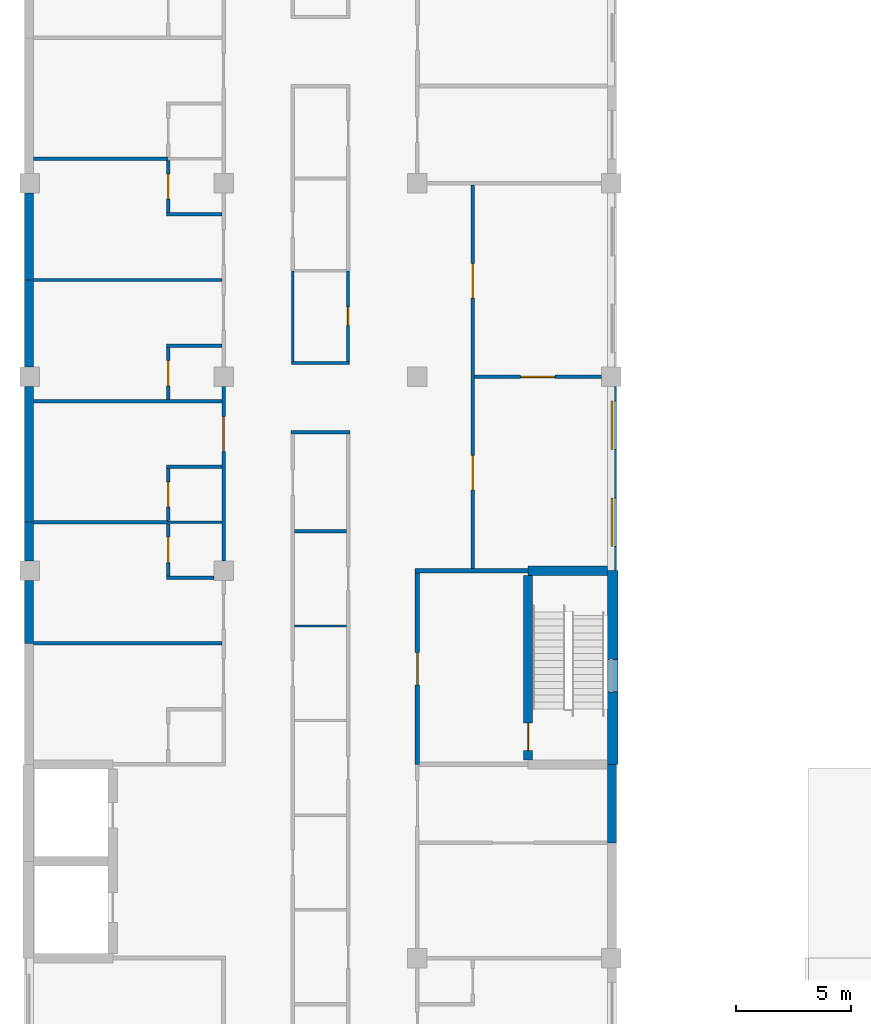
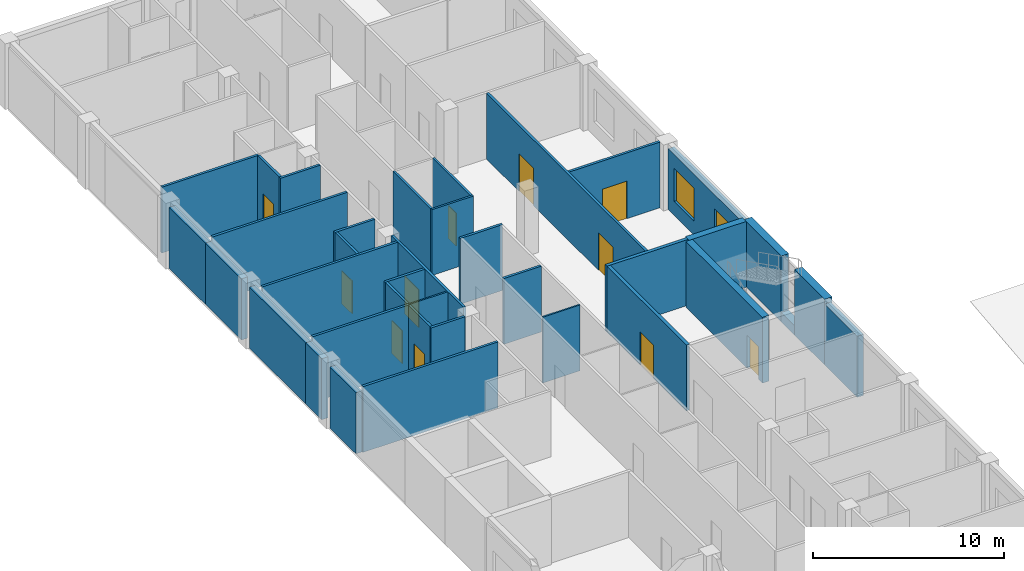
# One storey, part 43 of 66: 37 walls, 11 doors, 2 windows, 13 openings.
"""IFC4 building model written with IfcOpenShell, lengths in metres."""

from ifc_helpers import new_model, si_unit, direction, frame, frame_2d, origin, place, context, subcontext, project, spatial, rectangle, extrude, material, layer, layer_set, type_object, element, fill, save


model = new_model("IFC4")

# Units and contexts
model_context = context("Model", 3, precision=1e-05, world=origin(), true_north=direction((0.0, 1.0)))
body_context = subcontext(model_context, "Body", "Model", "MODEL_VIEW")
ifc_project = project(units=[si_unit("LENGTHUNIT", "METRE"), si_unit("AREAUNIT", "SQUARE_METRE"), si_unit("VOLUMEUNIT", "CUBIC_METRE"), si_unit("PLANEANGLEUNIT", "RADIAN"), si_unit("MASSUNIT", "GRAM", prefix="KILO")], contexts=[model_context])

# Site, building, storey
site_placement = place(None, origin())
site = spatial("IfcSite", under=ifc_project, at=site_placement, CompositionType="ELEMENT")
building_placement = place(site_placement, origin())
building = spatial("IfcBuilding", under=site, at=building_placement, Name="Yavir Park General Hospital", CompositionType="ELEMENT")
storey_placement = place(building_placement, frame((0.0, 0.0, 8.39990234375)))
storey = spatial("IfcBuildingStorey", under=building, at=storey_placement, Name="L02", CompositionType="ELEMENT", Elevation=8.39990234375)

# Wall
ifc_material_1 = material(Name="Double gypsum board fire partition on steel studs", Category="steel")
ifc_layer_1 = layer(ifc_material_1, 0.199951171875)
ifc_layer_set_1 = layer_set([ifc_layer_1], Name="Double gypsum board fire partition on steel studs")
wall_type_1 = type_object("IfcWallType", Name="Fire-rated partition 200, EI 60", PredefinedType="PARTITIONING", material=ifc_layer_set_1)
wall_1_placement = place(storey_placement, frame((16.699951171875, 84.0, 0.0), z_axis=(0.0, 0.0, 1.0), x_axis=(1.0, 0.0, 0.0)))
element("IfcWall", 1, at=wall_1_placement, inside=storey, type_object=wall_type_1, Name="FP20 L02-126", PredefinedType="PARTITIONING", context=body_context, shape_type="SweptSolid", body=[
    extrude(rectangle(XDim=4.900146484375, YDim=0.199951171875, at=frame_2d((2.4501953125, 0.0))), origin(), (0.0, 0.0, 1.0), 4.2001953125),
])

# Wall, opening, door
wall_2_placement = place(storey_placement, frame((16.800048828125, 75.60009765625, 0.0), z_axis=(0.0, 0.0, 1.0), x_axis=(0.0, 1.0, 0.0)))
wall_2 = element("IfcWall", 2, at=wall_2_placement, inside=storey, type_object=wall_type_1, Name="FP20 L02-203", PredefinedType="PARTITIONING", context=body_context, shape_type="SweptSolid", body=[
    extrude(rectangle(XDim=8.2998046875, YDim=0.199951171875, at=frame_2d((4.14990234375, 0.0))), origin(), (0.0, 0.0, 1.0), 4.2001953125),
])
opening_1_placement = place(wall_2_placement, frame((3.449951171875, 0.0, 0.0)))
opening_1 = element("IfcOpeningElement", 3, at=opening_1_placement, cuts=wall_2, Name="Opening L02.D163", PredefinedType="OPENING", context=body_context, shape_type="SweptSolid", body=[
    extrude(rectangle(XDim=1.39990234375, YDim=2.10009765625, at=frame_2d((0.699951171875, 1.050048828125))), frame((0.0, 0.10986328125, 0.0), z_axis=(0.0, -1.0, 0.0), x_axis=(1.0, 0.0, 0.0)), (0.0, 0.0, 1.0), 0.219970703125),
])
ifc_material_2 = material(Name="Steel frame, fire-resisting leaves with vision panels", Category="steel")
door_type_1 = type_object("IfcDoorType", Name="Double fire door with vision panels 1400 x 2100, EI 60", OperationType="DOUBLE_DOOR_SINGLE_SWING", PredefinedType="DOOR", material=ifc_material_2)
door_1_placement = place(opening_1_placement, origin())
door_1 = element("IfcDoor", 4, at=door_1_placement, inside=storey, type_object=door_type_1, Name="L02.D163", OperationType="SINGLE_SWING_LEFT", OverallHeight=2.10009765625, OverallWidth=1.39990234375, PredefinedType="DOOR", context=body_context, shape_type="SweptSolid", body=[
    extrude(rectangle(XDim=1.39990234375, YDim=2.10009765625, at=frame_2d((0.699951171875, 1.050048828125))), frame((0.0, 0.030029296875, 0.0), z_axis=(0.0, -1.0, 0.0), x_axis=(1.0, 0.0, 0.0)), (0.0, 0.0, 1.0), 0.06005859375),
])
fill(opening_1, door_1)

# Walls
ifc_material_3 = material(Name="Gypsum board partition on steel studs", Category="steel")
ifc_layer_2 = layer(ifc_material_3, 0.10009765625)
ifc_layer_set_2 = layer_set([ifc_layer_2], Name="Gypsum board partition on steel studs")
wall_type_2 = type_object("IfcWallType", Name="Gypsum board partition 100", PredefinedType="PARTITIONING", material=ifc_layer_set_2)
wall_3_placement = place(storey_placement, frame((11.47509765625, 81.60009765625, 0.0), z_axis=(0.0, 0.0, 1.0), x_axis=(1.0, 0.0, 0.0)))
element("IfcWall", 5, at=wall_3_placement, inside=storey, type_object=wall_type_2, Name="P10 L02-124", PredefinedType="PARTITIONING", context=body_context, shape_type="SweptSolid", body=[
    extrude(rectangle(XDim=2.25, YDim=0.10009765625, at=frame_2d((1.125, 0.0))), origin(), (0.0, 0.0, 1.0), 4.2001953125),
])
wall_4_placement = place(storey_placement, frame((6.0, 86.10009765625, 0.0), z_axis=(0.0, 0.0, 1.0), x_axis=(1.0, 0.0, 0.0)))
element("IfcWall", 6, at=wall_4_placement, inside=storey, type_object=wall_type_2, Name="P10 L02-130", PredefinedType="PARTITIONING", context=body_context, shape_type="SweptSolid", body=[
    extrude(rectangle(XDim=2.324951171875, YDim=0.10009765625, at=frame_2d((1.16259765625, 0.0))), origin(), (0.0, 0.0, 1.0), 4.2001953125),
])
ifc_material_4 = material(Name="Gypsum board partition on steel studs", Category="steel")
ifc_layer_3 = layer(ifc_material_4, 0.14990234375)
ifc_layer_set_3 = layer_set([ifc_layer_3], Name="Gypsum board partition on steel studs")
wall_type_3 = type_object("IfcWallType", Name="Gypsum board partition 150", PredefinedType="PARTITIONING", material=ifc_layer_set_3)
wall_5_placement = place(storey_placement, frame((0.14990234375, 80.85009765625, 0.0), z_axis=(0.0, 0.0, 1.0), x_axis=(1.0, 0.0, 0.0)))
element("IfcWall", 7, at=wall_5_placement, inside=storey, type_object=wall_type_3, Name="P15 L02-123", PredefinedType="PARTITIONING", context=body_context, shape_type="SweptSolid", body=[
    extrude(rectangle(XDim=8.175048828125, YDim=0.14990234375, at=frame_2d((4.08740234375, 0.0))), origin(), (0.0, 0.0, 1.0), 4.2001953125),
])
wall_6_placement = place(storey_placement, frame((5.925048828125, 83.699951171875, 0.0), z_axis=(0.0, 0.0, 1.0), x_axis=(1.0, 0.0, 0.0)))
element("IfcWall", 8, at=wall_6_placement, inside=storey, type_object=wall_type_3, Name="P15 L02-125", PredefinedType="PARTITIONING", context=body_context, shape_type="SweptSolid", body=[
    extrude(rectangle(XDim=2.050048828125, YDim=0.14990234375, at=frame_2d((1.02490234375, 0.0))), origin(), (0.0, 0.0, 1.0), 4.2001953125),
])
wall_7_placement = place(storey_placement, frame((11.47509765625, 85.699951171875, 0.0), z_axis=(0.0, 0.0, 1.0), x_axis=(1.0, 0.0, 0.0)))
element("IfcWall", 9, at=wall_7_placement, inside=storey, type_object=wall_type_3, Name="P15 L02-128", PredefinedType="PARTITIONING", context=body_context, shape_type="SweptSolid", body=[
    extrude(rectangle(XDim=2.25, YDim=0.14990234375, at=frame_2d((1.125, 0.0))), origin(), (0.0, 0.0, 1.0), 4.2001953125),
])
wall_8_placement = place(storey_placement, frame((0.14990234375, 86.10009765625, 0.0), z_axis=(0.0, 0.0, 1.0), x_axis=(1.0, 0.0, 0.0)))
element("IfcWall", 10, at=wall_8_placement, inside=storey, type_object=wall_type_3, Name="P15 L02-129", PredefinedType="PARTITIONING", context=body_context, shape_type="SweptSolid", body=[
    extrude(rectangle(XDim=5.85009765625, YDim=0.14990234375, at=frame_2d((2.925048828125, 0.0))), origin(), (0.0, 0.0, 1.0), 4.2001953125),
])
wall_9_placement = place(storey_placement, frame((5.925048828125, 88.5, 0.0), z_axis=(0.0, 0.0, 1.0), x_axis=(1.0, 0.0, 0.0)))
element("IfcWall", 11, at=wall_9_placement, inside=storey, type_object=wall_type_3, Name="P15 L02-131", PredefinedType="PARTITIONING", context=body_context, shape_type="SweptSolid", body=[
    extrude(rectangle(XDim=2.39990234375, YDim=0.14990234375, at=frame_2d((1.199951171875, 0.0))), origin(), (0.0, 0.0, 1.0), 4.2001953125),
])
wall_10_placement = place(storey_placement, frame((11.324951171875, 90.0, 0.0), z_axis=(0.0, 0.0, 1.0), x_axis=(1.0, 0.0, 0.0)))
element("IfcWall", 12, at=wall_10_placement, inside=storey, type_object=wall_type_3, Name="P15 L02-132", PredefinedType="PARTITIONING", context=body_context, shape_type="SweptSolid", body=[
    extrude(rectangle(XDim=2.550048828125, YDim=0.14990234375, at=frame_2d((1.27490234375, 0.0))), origin(), (0.0, 0.0, 1.0), 4.2001953125),
])
wall_11_placement = place(storey_placement, frame((0.14990234375, 91.35009765625, 0.0), z_axis=(0.0, 0.0, 1.0), x_axis=(1.0, 0.0, 0.0)))
element("IfcWall", 13, at=wall_11_placement, inside=storey, type_object=wall_type_3, Name="P15 L02-133", PredefinedType="PARTITIONING", context=body_context, shape_type="SweptSolid", body=[
    extrude(rectangle(XDim=8.175048828125, YDim=0.14990234375, at=frame_2d((4.08740234375, 0.0))), origin(), (0.0, 0.0, 1.0), 4.2001953125),
])

# Wall, opening, door
wall_12_placement = place(storey_placement, frame((19.27490234375, 92.39990234375, 0.0), z_axis=(0.0, 0.0, 1.0), x_axis=(1.0, 0.0, 0.0)))
wall_12 = element("IfcWall", 14, at=wall_12_placement, inside=storey, type_object=wall_type_3, Name="P15 L02-134", PredefinedType="PARTITIONING", context=body_context, shape_type="SweptSolid", body=[
    extrude(rectangle(XDim=5.5, YDim=0.14990234375, at=frame_2d((2.75, 0.0))), origin(), (0.0, 0.0, 1.0), 4.2001953125),
])
opening_2_placement = place(wall_12_placement, frame((2.0, 0.0, 0.0)))
opening_2 = element("IfcOpeningElement", 15, at=opening_2_placement, cuts=wall_12, Name="Opening L02.D105", PredefinedType="OPENING", context=body_context, shape_type="SweptSolid", body=[
    extrude(rectangle(XDim=1.5, YDim=2.39990234375, at=frame_2d((0.75, 1.199951171875))), frame((0.0, 0.0849609375, 0.0), z_axis=(0.0, -1.0, 0.0), x_axis=(1.0, 0.0, 0.0)), (0.0, 0.0, 1.0), 0.169921875),
])
ifc_material_5 = material(Name="Solid-core timber leaves, push plates, kick plates", Category="wood")
door_type_2 = type_object("IfcDoorType", Name="Bed door, unequal leaves 1500 x 2400", OperationType="DOUBLE_DOOR_SINGLE_SWING", PredefinedType="DOOR", material=ifc_material_5)
door_2_placement = place(opening_2_placement, origin())
door_2 = element("IfcDoor", 16, at=door_2_placement, inside=storey, type_object=door_type_2, Name="L02.D105", OperationType="SINGLE_SWING_RIGHT", OverallHeight=2.39990234375, OverallWidth=1.5, PredefinedType="DOOR", context=body_context, shape_type="SweptSolid", body=[
    extrude(rectangle(XDim=1.5, YDim=2.39990234375, at=frame_2d((0.75, 1.199951171875))), frame((0.0, 0.030029296875, 0.0), z_axis=(0.0, -1.0, 0.0), x_axis=(1.0, 0.0, 0.0)), (0.0, 0.0, 1.0), 0.06005859375),
])
fill(opening_2, door_2)

# Walls
wall_13_placement = place(storey_placement, frame((5.925048828125, 93.75, 0.0), z_axis=(0.0, 0.0, 1.0), x_axis=(1.0, 0.0, 0.0)))
element("IfcWall", 17, at=wall_13_placement, inside=storey, type_object=wall_type_3, Name="P15 L02-136", PredefinedType="PARTITIONING", context=body_context, shape_type="SweptSolid", body=[
    extrude(rectangle(XDim=2.39990234375, YDim=0.14990234375, at=frame_2d((1.199951171875, 0.0))), origin(), (0.0, 0.0, 1.0), 4.2001953125),
])
wall_14_placement = place(storey_placement, frame((0.14990234375, 96.60009765625, 0.0), z_axis=(0.0, 0.0, 1.0), x_axis=(1.0, 0.0, 0.0)))
element("IfcWall", 18, at=wall_14_placement, inside=storey, type_object=wall_type_3, Name="P15 L02-137", PredefinedType="PARTITIONING", context=body_context, shape_type="SweptSolid", body=[
    extrude(rectangle(XDim=8.175048828125, YDim=0.14990234375, at=frame_2d((4.08740234375, 0.0))), origin(), (0.0, 0.0, 1.0), 4.2001953125),
])
wall_15_placement = place(storey_placement, frame((5.925048828125, 99.449951171875, 0.0), z_axis=(0.0, 0.0, 1.0), x_axis=(1.0, 0.0, 0.0)))
element("IfcWall", 19, at=wall_15_placement, inside=storey, type_object=wall_type_3, Name="P15 L02-139", PredefinedType="PARTITIONING", context=body_context, shape_type="SweptSolid", body=[
    extrude(rectangle(XDim=2.39990234375, YDim=0.14990234375, at=frame_2d((1.199951171875, 0.0))), origin(), (0.0, 0.0, 1.0), 4.2001953125),
])
wall_16_placement = place(storey_placement, frame((0.14990234375, 101.85009765625, 0.0), z_axis=(0.0, 0.0, 1.0), x_axis=(1.0, 0.0, 0.0)))
element("IfcWall", 20, at=wall_16_placement, inside=storey, type_object=wall_type_3, Name="P15 L02-142", PredefinedType="PARTITIONING", context=body_context, shape_type="SweptSolid", body=[
    extrude(rectangle(XDim=5.85009765625, YDim=0.14990234375, at=frame_2d((2.925048828125, 0.0))), origin(), (0.0, 0.0, 1.0), 4.2001953125),
])

# Wall, opening, door
wall_17_placement = place(storey_placement, frame((6.0, 83.77490234375, 0.0), z_axis=(0.0, 0.0, 1.0), x_axis=(0.0, 1.0, 0.0)))
wall_17 = element("IfcWall", 21, at=wall_17_placement, inside=storey, type_object=wall_type_3, Name="P15 L02-158", PredefinedType="PARTITIONING", context=body_context, shape_type="SweptSolid", body=[
    extrude(rectangle(XDim=2.25, YDim=0.14990234375, at=frame_2d((1.125, 0.0))), origin(), (0.0, 0.0, 1.0), 4.2001953125),
])
opening_3_placement = place(wall_17_placement, frame((0.574951171875, 0.0, 0.0)))
opening_3 = element("IfcOpeningElement", 22, at=opening_3_placement, cuts=wall_17, Name="Opening L02.D111", PredefinedType="OPENING", context=body_context, shape_type="SweptSolid", body=[
    extrude(rectangle(XDim=1.10009765625, YDim=2.10009765625, at=frame_2d((0.550048828125, 1.050048828125))), frame((0.0, 0.0849609375, 0.0), z_axis=(0.0, -1.0, 0.0), x_axis=(1.0, 0.0, 0.0)), (0.0, 0.0, 1.0), 0.169921875),
])
ifc_material_6 = material(Name="Hollow metal frame, solid-core timber leaf", Category="wood")
door_type_3 = type_object("IfcDoorType", Name="Single swing door 1100 x 2100", OperationType="SINGLE_SWING_LEFT", PredefinedType="DOOR", material=ifc_material_6)
door_3_placement = place(opening_3_placement, origin())
door_3 = element("IfcDoor", 23, at=door_3_placement, inside=storey, type_object=door_type_3, Name="L02.D111", OperationType="SINGLE_SWING_LEFT", OverallHeight=2.10009765625, OverallWidth=1.10009765625, PredefinedType="DOOR", context=body_context, shape_type="SweptSolid", body=[
    extrude(rectangle(XDim=1.10009765625, YDim=2.10009765625, at=frame_2d((0.550048828125, 1.050048828125))), frame((0.0, 0.02490234375, 0.0), z_axis=(0.0, -1.0, 0.0), x_axis=(1.0, 0.0, 0.0)), (0.0, 0.0, 1.0), 0.050048828125),
])
fill(opening_3, door_3)

wall_18_placement = place(storey_placement, frame((6.0, 86.175048828125, 0.0), z_axis=(0.0, 0.0, 1.0), x_axis=(0.0, 1.0, 0.0)))
wall_18 = element("IfcWall", 24, at=wall_18_placement, inside=storey, type_object=wall_type_3, Name="P15 L02-159", PredefinedType="PARTITIONING", context=body_context, shape_type="SweptSolid", body=[
    extrude(rectangle(XDim=2.25, YDim=0.14990234375, at=frame_2d((1.125, 0.0))), origin(), (0.0, 0.0, 1.0), 4.2001953125),
])
opening_4_placement = place(wall_18_placement, frame((0.574951171875, 0.0, 0.0)))
opening_4 = element("IfcOpeningElement", 25, at=opening_4_placement, cuts=wall_18, Name="Opening L02.D112", PredefinedType="OPENING", context=body_context, shape_type="SweptSolid", body=[
    extrude(rectangle(XDim=1.10009765625, YDim=2.10009765625, at=frame_2d((0.550048828125, 1.050048828125))), frame((0.0, 0.0849609375, 0.0), z_axis=(0.0, -1.0, 0.0), x_axis=(1.0, 0.0, 0.0)), (0.0, 0.0, 1.0), 0.169921875),
])
door_4_placement = place(opening_4_placement, origin())
door_4 = element("IfcDoor", 26, at=door_4_placement, inside=storey, type_object=door_type_3, Name="L02.D112", OperationType="SINGLE_SWING_RIGHT", OverallHeight=2.10009765625, OverallWidth=1.10009765625, PredefinedType="DOOR", context=body_context, shape_type="SweptSolid", body=[
    extrude(rectangle(XDim=1.10009765625, YDim=2.10009765625, at=frame_2d((0.550048828125, 1.050048828125))), frame((0.0, 0.02490234375, 0.0), z_axis=(0.0, -1.0, 0.0), x_axis=(1.0, 0.0, 0.0)), (0.0, 0.0, 1.0), 0.050048828125),
])
fill(opening_4, door_4)

wall_19_placement = place(storey_placement, frame((6.0, 91.425048828125, 0.0), z_axis=(0.0, 0.0, 1.0), x_axis=(0.0, 1.0, 0.0)))
wall_19 = element("IfcWall", 27, at=wall_19_placement, inside=storey, type_object=wall_type_3, Name="P15 L02-160", PredefinedType="PARTITIONING", context=body_context, shape_type="SweptSolid", body=[
    extrude(rectangle(XDim=2.25, YDim=0.14990234375, at=frame_2d((1.125, 0.0))), origin(), (0.0, 0.0, 1.0), 4.2001953125),
])
opening_5_placement = place(wall_19_placement, frame((0.574951171875, 0.0, 0.0)))
opening_5 = element("IfcOpeningElement", 28, at=opening_5_placement, cuts=wall_19, Name="Opening L02.D113", PredefinedType="OPENING", context=body_context, shape_type="SweptSolid", body=[
    extrude(rectangle(XDim=1.10009765625, YDim=2.10009765625, at=frame_2d((0.550048828125, 1.050048828125))), frame((0.0, 0.0849609375, 0.0), z_axis=(0.0, -1.0, 0.0), x_axis=(1.0, 0.0, 0.0)), (0.0, 0.0, 1.0), 0.169921875),
])
door_5_placement = place(opening_5_placement, origin())
door_5 = element("IfcDoor", 29, at=door_5_placement, inside=storey, type_object=door_type_3, Name="L02.D113", OperationType="SINGLE_SWING_RIGHT", OverallHeight=2.10009765625, OverallWidth=1.10009765625, PredefinedType="DOOR", context=body_context, shape_type="SweptSolid", body=[
    extrude(rectangle(XDim=1.10009765625, YDim=2.10009765625, at=frame_2d((0.550048828125, 1.050048828125))), frame((0.0, 0.02490234375, 0.0), z_axis=(0.0, -1.0, 0.0), x_axis=(1.0, 0.0, 0.0)), (0.0, 0.0, 1.0), 0.050048828125),
])
fill(opening_5, door_5)

wall_20_placement = place(storey_placement, frame((6.0, 99.52490234375, 0.0), z_axis=(0.0, 0.0, 1.0), x_axis=(0.0, 1.0, 0.0)))
wall_20 = element("IfcWall", 30, at=wall_20_placement, inside=storey, type_object=wall_type_3, Name="P15 L02-161", PredefinedType="PARTITIONING", context=body_context, shape_type="SweptSolid", body=[
    extrude(rectangle(XDim=2.25, YDim=0.14990234375, at=frame_2d((1.125, 0.0))), origin(), (0.0, 0.0, 1.0), 4.2001953125),
])
opening_6_placement = place(wall_20_placement, frame((0.574951171875, 0.0, 0.0)))
opening_6 = element("IfcOpeningElement", 31, at=opening_6_placement, cuts=wall_20, Name="Opening L02.D114", PredefinedType="OPENING", context=body_context, shape_type="SweptSolid", body=[
    extrude(rectangle(XDim=1.10009765625, YDim=2.10009765625, at=frame_2d((0.550048828125, 1.050048828125))), frame((0.0, 0.0849609375, 0.0), z_axis=(0.0, -1.0, 0.0), x_axis=(1.0, 0.0, 0.0)), (0.0, 0.0, 1.0), 0.169921875),
])
door_6_placement = place(opening_6_placement, origin())
door_6 = element("IfcDoor", 32, at=door_6_placement, inside=storey, type_object=door_type_3, Name="L02.D114", OperationType="SINGLE_SWING_LEFT", OverallHeight=2.10009765625, OverallWidth=1.10009765625, PredefinedType="DOOR", context=body_context, shape_type="SweptSolid", body=[
    extrude(rectangle(XDim=1.10009765625, YDim=2.10009765625, at=frame_2d((0.550048828125, 1.050048828125))), frame((0.0, 0.02490234375, 0.0), z_axis=(0.0, -1.0, 0.0), x_axis=(1.0, 0.0, 0.0)), (0.0, 0.0, 1.0), 0.050048828125),
])
fill(opening_6, door_6)

wall_21_placement = place(storey_placement, frame((8.39990234375, 84.425048828125, 0.0), z_axis=(0.0, 0.0, 1.0), x_axis=(0.0, 1.0, 0.0)))
wall_21 = element("IfcWall", 33, at=wall_21_placement, inside=storey, type_object=wall_type_3, Name="P15 L02-174", PredefinedType="PARTITIONING", context=body_context, shape_type="SweptSolid", body=[
    extrude(rectangle(XDim=7.550048828125, YDim=0.14990234375, at=frame_2d((3.77490234375, 0.0))), origin(), (0.0, 0.0, 1.0), 4.2001953125),
])
opening_7_placement = place(wall_21_placement, frame((4.75, 0.0, 0.0)))
opening_7 = element("IfcOpeningElement", 34, at=opening_7_placement, cuts=wall_21, Name="Opening L02.D125", PredefinedType="OPENING", context=body_context, shape_type="SweptSolid", body=[
    extrude(rectangle(XDim=1.5, YDim=2.39990234375, at=frame_2d((0.75, 1.199951171875))), frame((0.0, 0.0849609375, 0.0), z_axis=(0.0, -1.0, 0.0), x_axis=(1.0, 0.0, 0.0)), (0.0, 0.0, 1.0), 0.169921875),
])
door_7_placement = place(opening_7_placement, origin())
door_7 = element("IfcDoor", 35, at=door_7_placement, inside=storey, type_object=door_type_2, Name="L02.D125", OperationType="SINGLE_SWING_RIGHT", OverallHeight=2.39990234375, OverallWidth=1.5, PredefinedType="DOOR", context=body_context, shape_type="SweptSolid", body=[
    extrude(rectangle(XDim=1.5, YDim=2.39990234375, at=frame_2d((0.75, 1.199951171875))), frame((0.0, 0.030029296875, 0.0), z_axis=(0.0, -1.0, 0.0), x_axis=(1.0, 0.0, 0.0)), (0.0, 0.0, 1.0), 0.06005859375),
])
fill(opening_7, door_7)

# Wall, openings, doors
wall_22_placement = place(storey_placement, frame((19.199951171875, 84.10009765625, 0.0), z_axis=(0.0, 0.0, 1.0), x_axis=(0.0, 1.0, 0.0)))
wall_22 = element("IfcWall", 36, at=wall_22_placement, inside=storey, type_object=wall_type_3, Name="P15 L02-211", PredefinedType="PARTITIONING", context=body_context, shape_type="SweptSolid", body=[
    extrude(rectangle(XDim=16.625, YDim=0.14990234375, at=frame_2d((8.3125, 0.0))), origin(), (0.0, 0.0, 1.0), 4.2001953125),
])
opening_8_placement = place(wall_22_placement, frame((3.39990234375, 0.0, 0.0)))
opening_8 = element("IfcOpeningElement", 37, at=opening_8_placement, cuts=wall_22, Name="Opening L02.D170", PredefinedType="OPENING", context=body_context, shape_type="SweptSolid", body=[
    extrude(rectangle(XDim=1.5, YDim=2.39990234375, at=frame_2d((0.75, 1.199951171875))), frame((0.0, 0.0849609375, 0.0), z_axis=(0.0, -1.0, 0.0), x_axis=(1.0, 0.0, 0.0)), (0.0, 0.0, 1.0), 0.169921875),
])
opening_9_placement = place(wall_22_placement, frame((11.71240234375, 0.0, 0.0)))
opening_9 = element("IfcOpeningElement", 38, at=opening_9_placement, cuts=wall_22, Name="Opening L02.D171", PredefinedType="OPENING", context=body_context, shape_type="SweptSolid", body=[
    extrude(rectangle(XDim=1.5, YDim=2.39990234375, at=frame_2d((0.75, 1.199951171875))), frame((0.0, 0.0849609375, 0.0), z_axis=(0.0, -1.0, 0.0), x_axis=(1.0, 0.0, 0.0)), (0.0, 0.0, 1.0), 0.169921875),
])
door_8_placement = place(opening_8_placement, origin())
door_8 = element("IfcDoor", 39, at=door_8_placement, inside=storey, type_object=door_type_2, Name="L02.D170", OperationType="SINGLE_SWING_RIGHT", OverallHeight=2.39990234375, OverallWidth=1.5, PredefinedType="DOOR", context=body_context, shape_type="SweptSolid", body=[
    extrude(rectangle(XDim=1.5, YDim=2.39990234375, at=frame_2d((0.75, 1.199951171875))), frame((0.0, 0.030029296875, 0.0), z_axis=(0.0, -1.0, 0.0), x_axis=(1.0, 0.0, 0.0)), (0.0, 0.0, 1.0), 0.06005859375),
])
fill(opening_8, door_8)
door_9_placement = place(opening_9_placement, origin())
door_9 = element("IfcDoor", 40, at=door_9_placement, inside=storey, type_object=door_type_2, Name="L02.D171", OperationType="SINGLE_SWING_LEFT", OverallHeight=2.39990234375, OverallWidth=1.5, PredefinedType="DOOR", context=body_context, shape_type="SweptSolid", body=[
    extrude(rectangle(XDim=1.5, YDim=2.39990234375, at=frame_2d((0.75, 1.199951171875))), frame((0.0, 0.030029296875, 0.0), z_axis=(0.0, -1.0, 0.0), x_axis=(1.0, 0.0, 0.0)), (0.0, 0.0, 1.0), 0.06005859375),
])
fill(opening_9, door_9)

# Walls
ifc_material_7 = material(Name="Autoclaved aerated block, 150 mm mineral wool and sand-coloured mineral render")
ifc_layer_4 = layer(ifc_material_7, 0.375)
ifc_layer_set_4 = layer_set([ifc_layer_4], Name="Autoclaved aerated block, 150 mm mineral wool and sand-coloured mineral render")
wall_type_4 = type_object("IfcWallType", Name="Mineral render clinical wall 375, E 30", PredefinedType="SOLIDWALL", material=ifc_layer_set_4)
wall_23_placement = place(storey_placement, frame((-0.03759765625, 80.85009765625, 0.0), z_axis=(0.0, 0.0, 1.0), x_axis=(0.0, 1.0, 0.0)))
element("IfcWall", 41, at=wall_23_placement, inside=storey, type_object=wall_type_4, Name="XW1 L02-125", PredefinedType="SOLIDWALL", context=body_context, shape_type="SweptSolid", body=[
    extrude(rectangle(XDim=2.724853515625, YDim=0.375, at=frame_2d((1.3623046875, 0.0))), origin(), (0.0, 0.0, 1.0), 3.900146484375),
])
wall_24_placement = place(storey_placement, frame((-0.03759765625, 84.425048828125, 0.0), z_axis=(0.0, 0.0, 1.0), x_axis=(0.0, 1.0, 0.0)))
element("IfcWall", 42, at=wall_24_placement, inside=storey, type_object=wall_type_4, Name="XW1 L02-126", PredefinedType="SOLIDWALL", context=body_context, shape_type="SweptSolid", body=[
    extrude(rectangle(XDim=1.675048828125, YDim=0.375, at=frame_2d((0.83740234375, 0.0))), origin(), (0.0, 0.0, 1.0), 3.900146484375),
])
wall_25_placement = place(storey_placement, frame((-0.03759765625, 86.10009765625, 0.0), z_axis=(0.0, 0.0, 1.0), x_axis=(0.0, 1.0, 0.0)))
element("IfcWall", 43, at=wall_25_placement, inside=storey, type_object=wall_type_4, Name="XW1 L02-127", PredefinedType="SOLIDWALL", context=body_context, shape_type="SweptSolid", body=[
    extrude(rectangle(XDim=5.875, YDim=0.375, at=frame_2d((2.9375, 0.0))), origin(), (0.0, 0.0, 1.0), 3.900146484375),
])
wall_26_placement = place(storey_placement, frame((-0.03759765625, 92.824951171875, 0.0), z_axis=(0.0, 0.0, 1.0), x_axis=(0.0, 1.0, 0.0)))
element("IfcWall", 44, at=wall_26_placement, inside=storey, type_object=wall_type_4, Name="XW1 L02-129", PredefinedType="SOLIDWALL", context=body_context, shape_type="SweptSolid", body=[
    extrude(rectangle(XDim=3.775146484375, YDim=0.375, at=frame_2d((1.8876953125, 0.0))), origin(), (0.0, 0.0, 1.0), 3.900146484375),
])
wall_27_placement = place(storey_placement, frame((-0.03759765625, 96.60009765625, 0.0), z_axis=(0.0, 0.0, 1.0), x_axis=(0.0, 1.0, 0.0)))
element("IfcWall", 45, at=wall_27_placement, inside=storey, type_object=wall_type_4, Name="XW1 L02-130", PredefinedType="SOLIDWALL", context=body_context, shape_type="SweptSolid", body=[
    extrude(rectangle(XDim=3.77490234375, YDim=0.375, at=frame_2d((1.887451171875, 0.0))), origin(), (0.0, 0.0, 1.0), 3.900146484375),
])
wall_28_placement = place(storey_placement, frame((25.237548828125, 72.199951171875, 0.0), z_axis=(0.0, 0.0, 1.0), x_axis=(0.0, 1.0, 0.0)))
element("IfcWall", 46, at=wall_28_placement, inside=storey, type_object=wall_type_4, Name="XW1 L02-145", PredefinedType="SOLIDWALL", context=body_context, shape_type="SweptSolid", body=[
    extrude(rectangle(XDim=3.400146484375, YDim=0.375, at=frame_2d((1.7001953125, 0.0))), origin(), (0.0, 0.0, 1.0), 3.900146484375),
])

# Wall, openings, windows
wall_29_placement = place(storey_placement, frame((25.237548828125, 84.0, 0.0), z_axis=(0.0, 0.0, 1.0), x_axis=(0.0, 1.0, 0.0)))
wall_29 = element("IfcWall", 47, at=wall_29_placement, inside=storey, type_object=wall_type_4, Name="XW1 L02-149", PredefinedType="SOLIDWALL", context=body_context, shape_type="SweptSolid", body=[
    extrude(rectangle(XDim=7.97509765625, YDim=0.375, at=frame_2d((3.987548828125, 0.0))), origin(), (0.0, 0.0, 1.0), 3.900146484375),
])
opening_10_placement = place(wall_29_placement, frame((1.050048828125, 0.0, 0.89990234375)))
opening_10 = element("IfcOpeningElement", 48, at=opening_10_placement, cuts=wall_29, Name="Opening WI2", PredefinedType="OPENING", context=body_context, shape_type="SweptSolid", body=[
    extrude(rectangle(XDim=2.10009765625, YDim=2.10009765625, at=frame_2d((1.050048828125, 1.050048828125))), frame((0.0, 0.197509765625, 0.0), z_axis=(0.0, -1.0, 0.0), x_axis=(1.0, 0.0, 0.0)), (0.0, 0.0, 1.0), 0.39501953125),
])
opening_11_placement = place(wall_29_placement, frame((5.25, 0.0, 0.89990234375)))
opening_11 = element("IfcOpeningElement", 49, at=opening_11_placement, cuts=wall_29, Name="Opening WI2", PredefinedType="OPENING", context=body_context, shape_type="SweptSolid", body=[
    extrude(rectangle(XDim=2.10009765625, YDim=2.10009765625, at=frame_2d((1.050048828125, 1.050048828125))), frame((0.0, 0.197509765625, 0.0), z_axis=(0.0, -1.0, 0.0), x_axis=(1.0, 0.0, 0.0)), (0.0, 0.0, 1.0), 0.39501953125),
])
ifc_material_8 = material(Name="Aluminium frame, acoustic glazed unit", Category="aluminium")
window_type = type_object("IfcWindowType", Name="Tall acoustic glazed window 2100 x 2100", PartitioningType="SINGLE_PANEL", PredefinedType="WINDOW", material=ifc_material_8)
window_1_placement = place(opening_10_placement, origin())
window_1 = element("IfcWindow", 50, at=window_1_placement, inside=storey, type_object=window_type, Name="WI2 L02-062", OverallHeight=2.10009765625, OverallWidth=2.10009765625, PartitioningType="SINGLE_PANEL", PredefinedType="WINDOW", context=body_context, shape_type="SweptSolid", body=[
    extrude(rectangle(XDim=2.10009765625, YDim=2.10009765625, at=frame_2d((1.050048828125, 1.050048828125))), frame((0.0, 0.044921875, 0.0), z_axis=(0.0, -1.0, 0.0), x_axis=(1.0, 0.0, 0.0)), (0.0, 0.0, 1.0), 0.090087890625),
])
fill(opening_10, window_1)
window_2_placement = place(opening_11_placement, origin())
window_2 = element("IfcWindow", 51, at=window_2_placement, inside=storey, type_object=window_type, Name="WI2 L02-063", OverallHeight=2.10009765625, OverallWidth=2.10009765625, PartitioningType="SINGLE_PANEL", PredefinedType="WINDOW", context=body_context, shape_type="SweptSolid", body=[
    extrude(rectangle(XDim=2.10009765625, YDim=2.10009765625, at=frame_2d((1.050048828125, 1.050048828125))), frame((0.0, 0.044921875, 0.0), z_axis=(0.0, -1.0, 0.0), x_axis=(1.0, 0.0, 0.0)), (0.0, 0.0, 1.0), 0.090087890625),
])
fill(opening_11, window_2)

# Wall
ifc_material_9 = material(Name="Concrete C35/45", Category="concrete")
ifc_layer_5 = layer(ifc_material_9, 0.39990234375)
ifc_layer_set_5 = layer_set([ifc_layer_5], Name="Concrete C35/45")
wall_type_5 = type_object("IfcWallType", Name="Reinforced concrete core wall 400, REI 150", PredefinedType="SHEAR", material=ifc_layer_set_5)
wall_30_placement = place(storey_placement, frame((21.60009765625, 84.0, 0.0), z_axis=(0.0, 0.0, 1.0), x_axis=(1.0, 0.0, 0.0)))
element("IfcWall", 52, at=wall_30_placement, inside=storey, type_object=wall_type_5, Name="CW40 L02-127", PredefinedType="SHEAR", context=body_context, shape_type="SweptSolid", body=[
    extrude(rectangle(XDim=3.449951171875, YDim=0.39990234375, at=frame_2d((1.72509765625, 0.0))), origin(), (0.0, 0.0, 1.0), 4.2001953125),
])

# Wall, opening, door
wall_31_placement = place(storey_placement, frame((21.60009765625, 75.800048828125, 0.0), z_axis=(0.0, 0.0, 1.0), x_axis=(0.0, 1.0, 0.0)))
wall_31 = element("IfcWall", 53, at=wall_31_placement, inside=storey, type_object=wall_type_5, Name="CW40 L02-214", PredefinedType="SHEAR", context=body_context, shape_type="SweptSolid", body=[
    extrude(rectangle(XDim=8.0, YDim=0.39990234375, at=frame_2d((4.0, 0.0))), origin(), (0.0, 0.0, 1.0), 4.2001953125),
])
opening_12_placement = place(wall_31_placement, frame((0.39990234375, 0.0, 0.0)))
opening_12 = element("IfcOpeningElement", 54, at=opening_12_placement, cuts=wall_31, Name="Opening L02.D173", PredefinedType="OPENING", context=body_context, shape_type="SweptSolid", body=[
    extrude(rectangle(XDim=1.199951171875, YDim=2.10009765625, at=frame_2d((0.60009765625, 1.050048828125))), frame((0.0, 0.2099609375, 0.0), z_axis=(0.0, -1.0, 0.0), x_axis=(1.0, 0.0, 0.0)), (0.0, 0.0, 1.0), 0.419921875),
])
ifc_material_10 = material(Name="Steel frame, fire-resisting timber leaf", Category="steel")
door_type_4 = type_object("IfcDoorType", Name="Fire door 1200 x 2100, EI 60", OperationType="SINGLE_SWING_LEFT", PredefinedType="DOOR", material=ifc_material_10)
door_10_placement = place(opening_12_placement, origin())
door_10 = element("IfcDoor", 55, at=door_10_placement, inside=storey, type_object=door_type_4, Name="L02.D173", OperationType="SINGLE_SWING_LEFT", OverallHeight=2.10009765625, OverallWidth=1.199951171875, PredefinedType="DOOR", context=body_context, shape_type="SweptSolid", body=[
    extrude(rectangle(XDim=1.199951171875, YDim=2.10009765625, at=frame_2d((0.60009765625, 1.050048828125))), frame((0.0, 0.02490234375, 0.0), z_axis=(0.0, -1.0, 0.0), x_axis=(1.0, 0.0, 0.0)), (0.0, 0.0, 1.0), 0.050048828125),
])
fill(opening_12, door_10)

# Walls
ifc_material_11 = material(Name="Gypsum shaft wall system on steel studs", Category="steel")
ifc_layer_6 = layer(ifc_material_11, 0.125)
ifc_layer_set_6 = layer_set([ifc_layer_6], Name="Gypsum shaft wall system on steel studs")
wall_type_6 = type_object("IfcWallType", Name="Shaft wall 125, EI 90", PredefinedType="SOLIDWALL", material=ifc_layer_set_6)
wall_32_placement = place(storey_placement, frame((11.33740234375, 93.0, 0.0), z_axis=(0.0, 0.0, 1.0), x_axis=(1.0, 0.0, 0.0)))
element("IfcWall", 56, at=wall_32_placement, inside=storey, type_object=wall_type_6, Name="SW125 L02-135", PredefinedType="SOLIDWALL", context=body_context, shape_type="SweptSolid", body=[
    extrude(rectangle(XDim=2.525146484375, YDim=0.125, at=frame_2d((1.2626953125, 0.0))), origin(), (0.0, 0.0, 1.0), 4.2001953125),
])
wall_33_placement = place(storey_placement, frame((11.39990234375, 93.0625, 0.0), z_axis=(0.0, 0.0, 1.0), x_axis=(0.0, 1.0, 0.0)))
element("IfcWall", 57, at=wall_33_placement, inside=storey, type_object=wall_type_6, Name="SW125 L02-182", PredefinedType="SOLIDWALL", context=body_context, shape_type="SweptSolid", body=[
    extrude(rectangle(XDim=3.9375, YDim=0.125, at=frame_2d((1.96875, 0.0))), origin(), (0.0, 0.0, 1.0), 4.2001953125),
])

# Wall, opening, door
wall_34_placement = place(storey_placement, frame((13.800048828125, 93.0625, 0.0), z_axis=(0.0, 0.0, 1.0), x_axis=(0.0, 1.0, 0.0)))
wall_34 = element("IfcWall", 58, at=wall_34_placement, inside=storey, type_object=wall_type_6, Name="SW125 L02-189", PredefinedType="SOLIDWALL", context=body_context, shape_type="SweptSolid", body=[
    extrude(rectangle(XDim=3.9375, YDim=0.125, at=frame_2d((1.96875, 0.0))), origin(), (0.0, 0.0, 1.0), 4.2001953125),
])
opening_13_placement = place(wall_34_placement, frame((1.56884765625, 0.0, 0.0)))
opening_13 = element("IfcOpeningElement", 59, at=opening_13_placement, cuts=wall_34, Name="Opening L02.D150", PredefinedType="OPENING", context=body_context, shape_type="SweptSolid", body=[
    extrude(rectangle(XDim=0.800048828125, YDim=2.10009765625, at=frame_2d((0.39990234375, 1.050048828125))), frame((0.0, 0.072509765625, 0.0), z_axis=(0.0, -1.0, 0.0), x_axis=(1.0, 0.0, 0.0)), (0.0, 0.0, 1.0), 0.14501953125),
])
ifc_material_12 = material(Name="Steel frame, fire-resisting access leaf", Category="steel")
door_type_5 = type_object("IfcDoorType", Name="Fire-resisting riser access door 800 x 2100, EI 90", OperationType="SINGLE_SWING_LEFT", PredefinedType="DOOR", material=ifc_material_12)
door_11_placement = place(opening_13_placement, origin())
door_11 = element("IfcDoor", 60, at=door_11_placement, inside=storey, type_object=door_type_5, Name="L02.D150", OperationType="SINGLE_SWING_LEFT", OverallHeight=2.10009765625, OverallWidth=0.800048828125, PredefinedType="DOOR", context=body_context, shape_type="SweptSolid", body=[
    extrude(rectangle(XDim=0.800048828125, YDim=2.10009765625, at=frame_2d((0.39990234375, 1.050048828125))), frame((0.0, 0.030029296875, 0.0), z_axis=(0.0, -1.0, 0.0), x_axis=(1.0, 0.0, 0.0)), (0.0, 0.0, 1.0), 0.06005859375),
])
fill(opening_13, door_11)

# Walls
ifc_material_13 = material(Name="Concrete C30/37 precast panel with 150 mm mineral wool insulation", Category="concrete")
ifc_layer_7 = layer(ifc_material_13, 0.449951171875)
ifc_layer_set_7 = layer_set([ifc_layer_7], Name="Concrete C30/37 precast panel with 150 mm mineral wool insulation")
wall_type_7 = type_object("IfcWallType", Name="Stair enclosure wall 450, REI 150", PredefinedType="SOLIDWALL", material=ifc_layer_set_7)
wall_35_placement = place(storey_placement, frame((25.27490234375, 75.60009765625, 0.0), z_axis=(0.0, 0.0, 1.0), x_axis=(0.0, 1.0, 0.0)))
element("IfcWall", 61, at=wall_35_placement, inside=storey, type_object=wall_type_7, Name="XW6 L02-146", PredefinedType="SOLIDWALL", context=body_context, shape_type="SweptSolid", body=[
    extrude(rectangle(XDim=3.14990234375, YDim=0.449951171875, at=frame_2d((1.574951171875, 0.0))), origin(), (0.0, 0.0, 1.0), 4.2001953125),
])
wall_36_placement = place(storey_placement, frame((25.27490234375, 80.14990234375, 0.0), z_axis=(0.0, 0.0, 1.0), x_axis=(0.0, 1.0, 0.0)))
element("IfcWall", 62, at=wall_36_placement, inside=storey, type_object=wall_type_7, Name="XW6 L02-147", PredefinedType="SOLIDWALL", context=body_context, shape_type="SweptSolid", body=[
    extrude(rectangle(XDim=3.85009765625, YDim=0.449951171875, at=frame_2d((1.925048828125, 0.0))), origin(), (0.0, 0.0, 1.0), 4.2001953125),
])
wall_37_placement = place(storey_placement, frame((25.27490234375, 78.75, 0.0), z_axis=(0.0, 0.0, 1.0), x_axis=(0.0, 1.0, 0.0)))
element("IfcWall", 63, at=wall_37_placement, inside=storey, type_object=wall_type_7, Name="XW6 L02-148", PredefinedType="SOLIDWALL", context=body_context, shape_type="SweptSolid", body=[
    extrude(rectangle(XDim=1.39990234375, YDim=0.449951171875, at=frame_2d((0.699951171875, 0.0))), origin(), (0.0, 0.0, 1.0), 0.60009765625),
])

save(model, "model.ifc")
